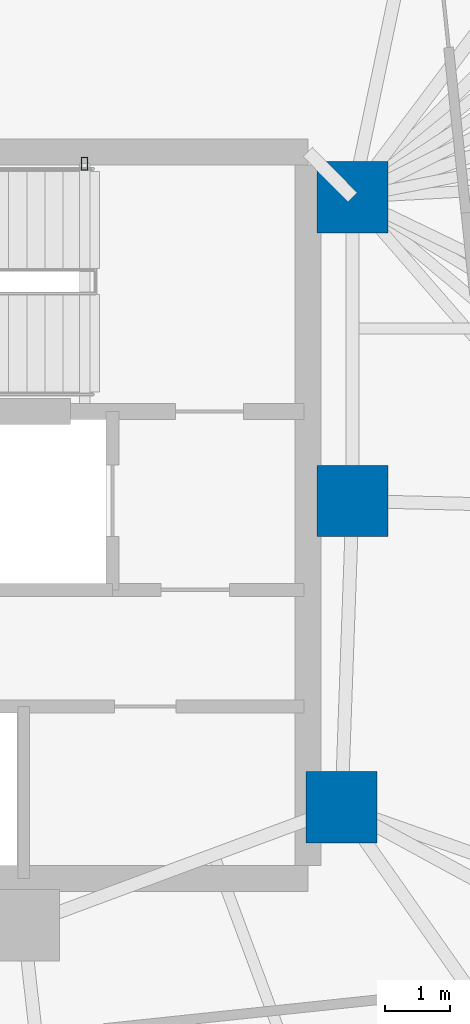
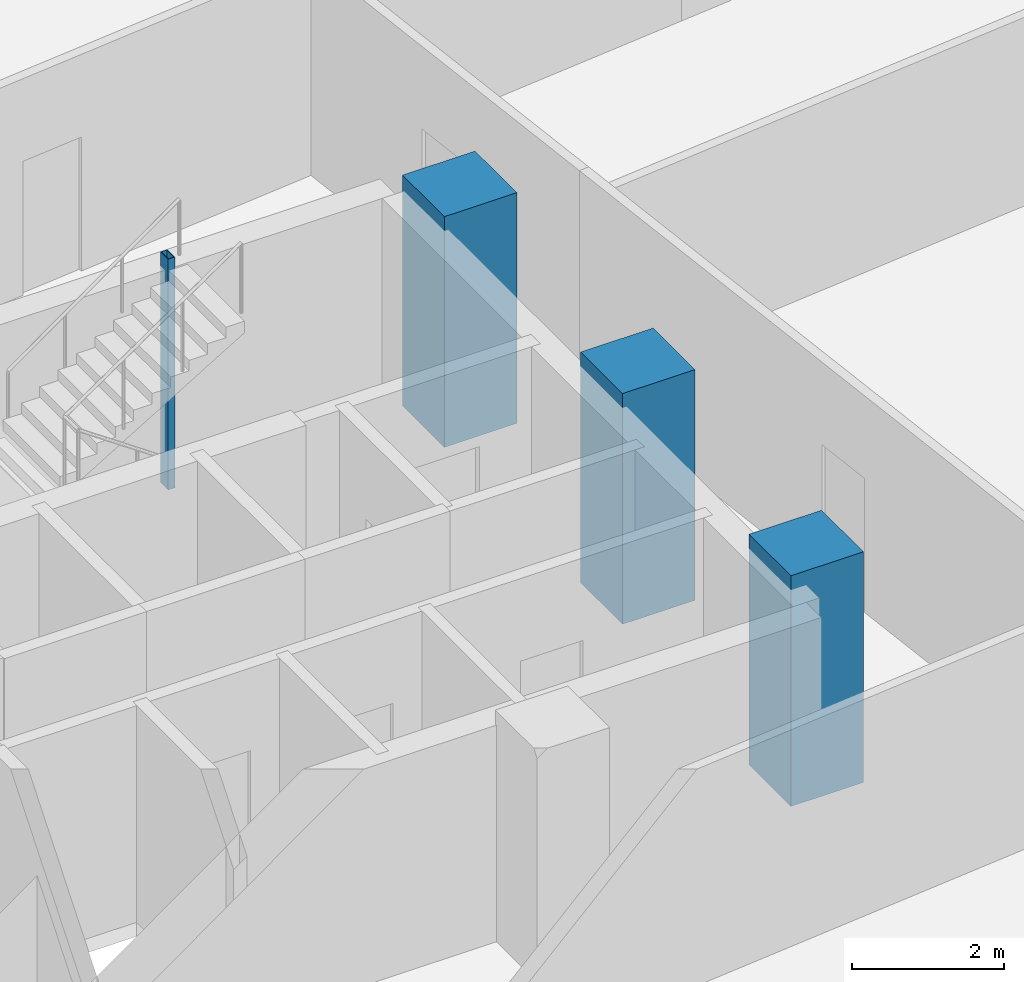
# One storey, part 4 of 18: 4 columns.
"""IFC4 building model written with IfcOpenShell, lengths in metres."""

from ifc_helpers import new_model, si_unit, direction, frame, origin, origin_2d, place, context, subcontext, project, spatial, rectangle, hollow_rectangle, extrude, material, material_profile, profile_set, type_object, element, save


model = new_model("IFC4")

# Units and contexts
model_context = context("Model", 3, precision=1e-05, world=origin(), true_north=direction((0.0, 1.0)))
body_context = subcontext(model_context, "Body", "Model", "MODEL_VIEW")
ifc_project = project(units=[si_unit("LENGTHUNIT", "METRE"), si_unit("AREAUNIT", "SQUARE_METRE"), si_unit("VOLUMEUNIT", "CUBIC_METRE"), si_unit("PLANEANGLEUNIT", "RADIAN"), si_unit("MASSUNIT", "GRAM", prefix="KILO")], contexts=[model_context])

# Site, building, storey
site_placement = place(None, origin())
site = spatial("IfcSite", under=ifc_project, at=site_placement, CompositionType="ELEMENT")
building_placement = place(site_placement, origin())
building = spatial("IfcBuilding", under=site, at=building_placement, Name="Menara Jurai Vektor", CompositionType="ELEMENT")
storey_placement = place(building_placement, frame((0.0, 0.0, 117.0)))
storey = spatial("IfcBuildingStorey", under=building, at=storey_placement, Name="L29", CompositionType="ELEMENT", Elevation=117.0)

# Columns
ifc_material_1 = material(Name="Concrete C50/60", Category="concrete")
ifc_material_profile_1 = material_profile(ifc_material_1, rectangle(XDim=1.10009765625, YDim=1.10009765625, at=origin_2d()), Name="RC 1100x1100")
ifc_profile_set_1 = profile_set([ifc_material_profile_1], Name="Concrete C50/60")
column_type_1 = type_object("IfcColumnType", Name="STR-COL-RC1100", PredefinedType="COLUMN", material=ifc_profile_set_1)
for number, where, z_axis, x_axis, name in (
    (1, (15.25, 4.89990234375, 0.0), (0.0, 0.0, 1.0), (1.0, 0.0, 0.0), "Core Spine Column CE-NE L29"),
    (2, (15.25, 0.219970703125, 0.0), (0.0, 0.0, 1.0), (1.0, 0.0, 0.0), "Core Spine Column CE-EM L29"),
    (3, (15.080078125, -4.5, 0.0), (0.0, 0.0, 1.0), (1.0, 0.0, 0.0), "Core Spine Column CE-SE L29"),
):
    element("IfcColumn", number, at=place(storey_placement, frame(where, z_axis=z_axis, x_axis=x_axis)), inside=storey, type_object=column_type_1, Name=name, PredefinedType="COLUMN", context=body_context, shape_type="SweptSolid", body=[
        extrude(rectangle(XDim=1.10009765625, YDim=1.10009765625, at=origin_2d()), origin(), (0.0, 0.0, 1.0), 3.699951171875),
    ])
ifc_material_2 = material(Name="Steel S355", Category="steel")
ifc_material_profile_2 = material_profile(ifc_material_2, hollow_rectangle(XDim=0.10009765625, YDim=0.199951171875, WallThickness=0.008056640625, at=origin_2d()), Name="RHS 200x100x8")
ifc_profile_set_2 = profile_set([ifc_material_profile_2], Name="Steel S355")
column_type_2 = type_object("IfcColumnType", Name="STR-COL-STAIR", PredefinedType="COLUMN", material=ifc_profile_set_2)
column_placement = place(storey_placement, frame((11.1201171875, 5.419921875, 0.0), z_axis=(0.0, 0.0, 1.0), x_axis=(1.0, 0.0, 0.0)))
element("IfcColumn", 4, at=column_placement, inside=storey, type_object=column_type_2, Name="Stair Well Header Column ST2-P2 L29", PredefinedType="COLUMN", context=body_context, shape_type="SweptSolid", body=[
    extrude(hollow_rectangle(XDim=0.10009765625, YDim=0.199951171875, WallThickness=0.008056640625, at=origin_2d()), origin(), (0.0, 0.0, 1.0), 3.699951171875),
])

save(model, "model.ifc")
